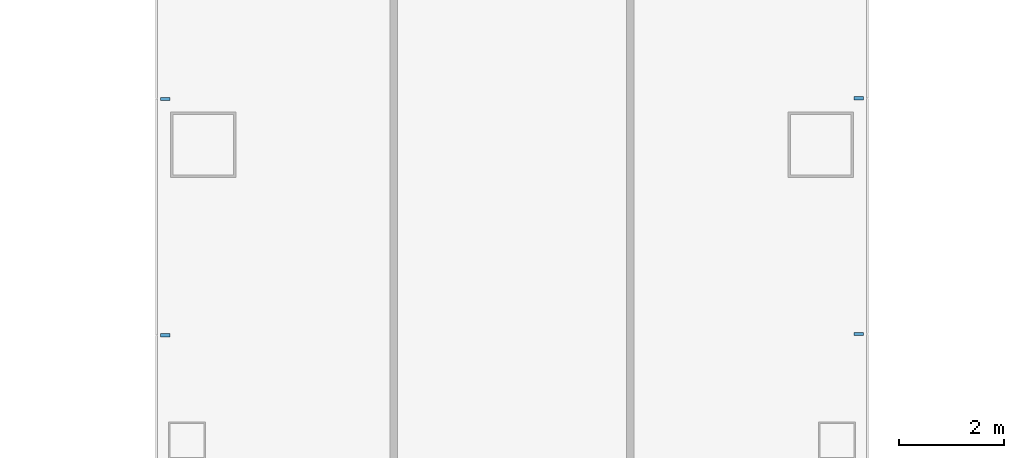
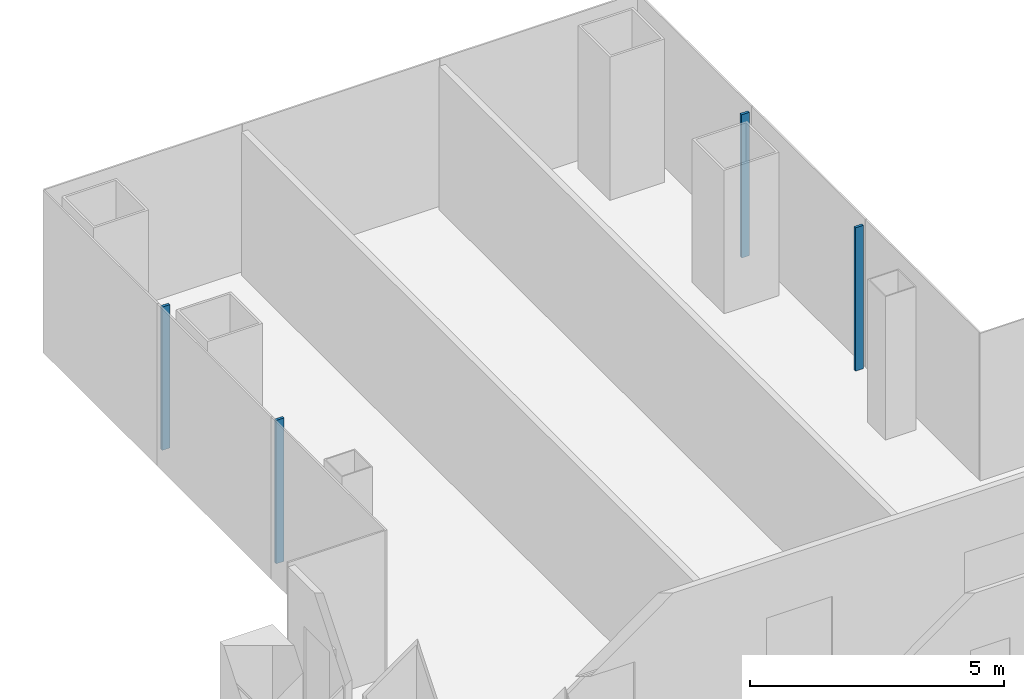
# One storey, part 8 of 20: 4 members, 2 elements without a shape of their own.
"""IFC4 building model written with IfcOpenShell, lengths in metres."""

from ifc_helpers import new_model, si_unit, direction, frame, origin, origin_2d, place, context, subcontext, project, spatial, rectangle, extrude, material, layer, layer_set, material_profile, profile_set, type_object, element, aggregate, save


model = new_model("IFC4")

# Units and contexts
model_context = context("Model", 3, precision=1e-05, world=origin(), true_north=direction((0.0, 1.0)))
body_context = subcontext(model_context, "Body", "Model", "MODEL_VIEW")
ifc_project = project(units=[si_unit("LENGTHUNIT", "METRE"), si_unit("AREAUNIT", "SQUARE_METRE"), si_unit("VOLUMEUNIT", "CUBIC_METRE"), si_unit("PLANEANGLEUNIT", "RADIAN"), si_unit("MASSUNIT", "GRAM", prefix="KILO")], contexts=[model_context])

# Site, building, storey
site_placement = place(None, origin())
site = spatial("IfcSite", under=ifc_project, at=site_placement, CompositionType="ELEMENT")
building_placement = place(site_placement, origin())
building = spatial("IfcBuilding", under=site, at=building_placement, Name="Shamsa Quay Exchange Towers", CompositionType="ELEMENT")
storey_placement = place(building_placement, frame((0.0, 0.0, 124.800048828125)))
storey = spatial("IfcBuildingStorey", under=building, at=storey_placement, Name="L29", CompositionType="ELEMENT", Elevation=124.800048828125)

# Curtain wall, members
ifc_material = material(Name="Aluminium EN AW-6063 T6, black anodised", Category="aluminium")
ifc_layer = layer(ifc_material, 0.280029296875)
ifc_layer_set = layer_set([ifc_layer], Name="CW-1 UNITISED VISION GLASS")
curtain_wall_type = type_object("IfcCurtainWallType", Name="CW-1 UNITISED VISION GLASS", PredefinedType="NOTDEFINED", material=ifc_layer_set)
curtain_wall_1_placement = place(storey_placement, origin())
curtain_wall_1 = element("IfcCurtainWall", 1, at=curtain_wall_1_placement, inside=storey, type_object=curtain_wall_type, Name="CW1 T2-FLK-U+S L29", PredefinedType="NOTDEFINED")
ifc_material_profile = material_profile(ifc_material, rectangle(XDim=0.179931640625, YDim=0.06005859375, at=origin_2d()), Name="MU60x180")
ifc_profile_set = profile_set([ifc_material_profile], Name="Aluminium EN AW-6063 T6, black anodised")
member_type = type_object("IfcMemberType", Name="CW1 MULLION 60x180", PredefinedType="MULLION", material=ifc_profile_set)
member_1_placement = place(storey_placement, frame((40.35009765625, 15.775390625, 0.0), z_axis=(0.0, 0.0, 1.0), x_axis=(-1.0, 0.0, 0.0)))
member_1 = element("IfcMember", 2, at=member_1_placement, type_object=member_type, Name="CW1 mullion", PredefinedType="MULLION", context=body_context, shape_type="SweptSolid", body=[
    extrude(rectangle(XDim=0.179931640625, YDim=0.06005859375, at=origin_2d()), origin(), (0.0, 0.0, 1.0), 3.449951171875),
])
member_2_placement = place(storey_placement, frame((40.35009765625, 20.2626953125, 0.0), z_axis=(0.0, 0.0, 1.0), x_axis=(-1.0, 0.0, 0.0)))
member_2 = element("IfcMember", 3, at=member_2_placement, type_object=member_type, Name="CW1 mullion", PredefinedType="MULLION", context=body_context, shape_type="SweptSolid", body=[
    extrude(rectangle(XDim=0.179931640625, YDim=0.06005859375, at=origin_2d()), origin(), (0.0, 0.0, 1.0), 3.449951171875),
])
aggregate(curtain_wall_1, [member_1, member_2])

curtain_wall_2_placement = place(storey_placement, origin())
curtain_wall_2 = element("IfcCurtainWall", 4, at=curtain_wall_2_placement, inside=storey, type_object=curtain_wall_type, Name="CW1 T2-FLK-U+N L29", PredefinedType="NOTDEFINED")
member_3_placement = place(storey_placement, frame((27.14990234375, 20.25, 0.0)))
member_3 = element("IfcMember", 5, at=member_3_placement, type_object=member_type, Name="CW1 mullion", PredefinedType="MULLION", context=body_context, shape_type="SweptSolid", body=[
    extrude(rectangle(XDim=0.179931640625, YDim=0.06005859375, at=origin_2d()), origin(), (0.0, 0.0, 1.0), 3.449951171875),
])
member_4_placement = place(storey_placement, frame((27.14990234375, 15.75, 0.0)))
member_4 = element("IfcMember", 6, at=member_4_placement, type_object=member_type, Name="CW1 mullion", PredefinedType="MULLION", context=body_context, shape_type="SweptSolid", body=[
    extrude(rectangle(XDim=0.179931640625, YDim=0.06005859375, at=origin_2d()), origin(), (0.0, 0.0, 1.0), 3.449951171875),
])
aggregate(curtain_wall_2, [member_3, member_4])

save(model, "model.ifc")
